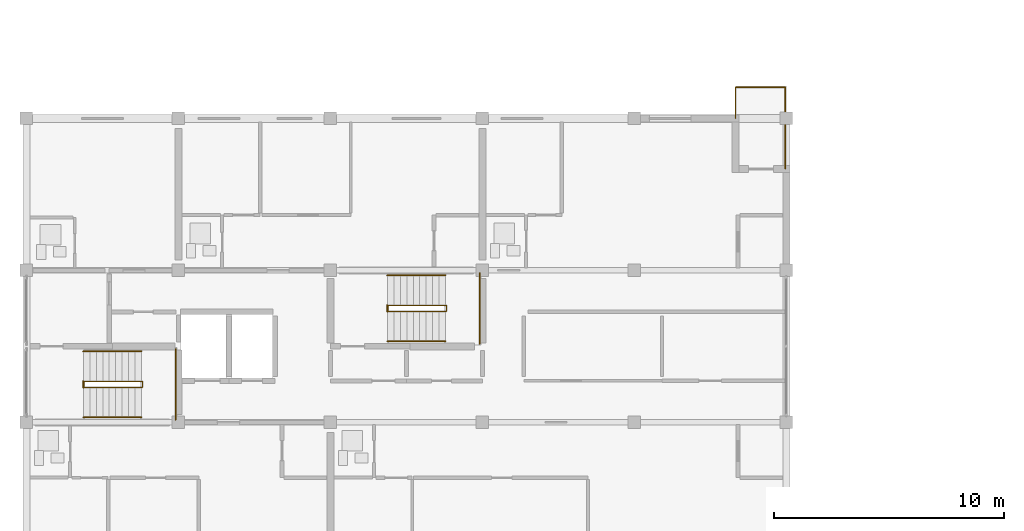
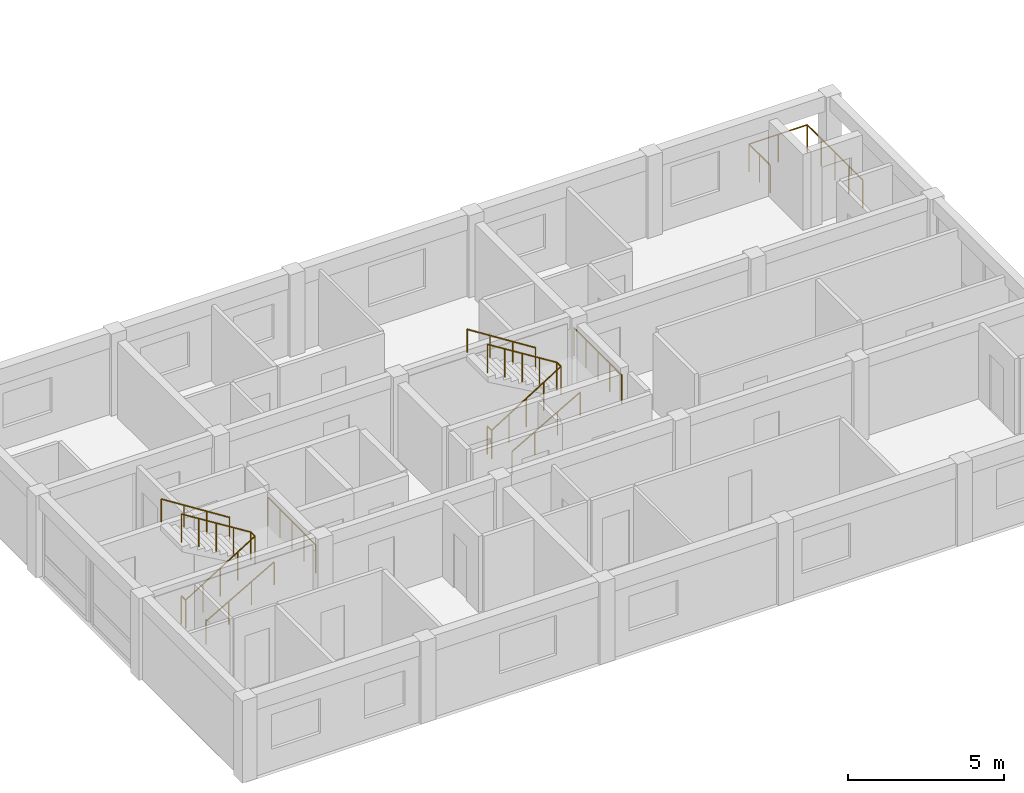
# One storey, part 42 of 45: 11 railings.
"""IFC4 building model written with IfcOpenShell, lengths in metres."""

from ifc_helpers import new_model, si_unit, direction, frame, origin, origin_2d, place, context, subcontext, project, spatial, circle, extrude, material, type_object, element, save


model = new_model("IFC4")

# Units and contexts
model_context = context("Model", 3, precision=1e-05, world=origin(), true_north=direction((0.0, 1.0)))
body_context = subcontext(model_context, "Body", "Model", "MODEL_VIEW")
ifc_project = project(units=[si_unit("LENGTHUNIT", "METRE"), si_unit("AREAUNIT", "SQUARE_METRE"), si_unit("VOLUMEUNIT", "CUBIC_METRE"), si_unit("PLANEANGLEUNIT", "RADIAN"), si_unit("MASSUNIT", "GRAM", prefix="KILO")], contexts=[model_context])

# Site, building, storey
site_placement = place(None, origin())
site = spatial("IfcSite", under=ifc_project, at=site_placement, CompositionType="ELEMENT")
building_placement = place(site_placement, origin())
building = spatial("IfcBuilding", under=site, at=building_placement, Name="Kernevlak Ridge Housing Community", CompositionType="ELEMENT")
storey_placement = place(building_placement, frame((0.0, 0.0, 14.800048828125)))
storey = spatial("IfcBuildingStorey", under=building, at=storey_placement, Name="L04", CompositionType="ELEMENT", Elevation=14.800048828125)

# Railings
ifc_material_1 = material(Name="Steel S355", Category="steel")
railing_type_1 = type_object("IfcRailingType", Name="BL-01", PredefinedType="BALUSTRADE", material=ifc_material_1)
railing_1_placement = place(storey_placement, frame((46.39990234375, 95.800048828125, 0.0)))
element("IfcRailing", 1, at=railing_1_placement, inside=storey, type_object=railing_type_1, Name="Block A L04 balcony balustrade BL-01 4", PredefinedType="BALUSTRADE", context=body_context, shape_type="SweptSolid", body=[
    extrude(circle(Radius=0.02392578125, at=origin_2d()), frame((0.0, 0.0, 1.076171875), z_axis=(0.0, 1.0, 0.0), x_axis=(-1.0, 0.0, 0.0)), (0.0, 0.0, 1.0), 1.349853515625),
    extrude(circle(Radius=0.02392578125, at=origin_2d()), frame((0.0, 1.349853515625, 1.076171875), z_axis=(1.0, 0.0, 0.0), x_axis=(0.0, 1.0, 0.0)), (0.0, 0.0, 1.0), 2.150146484375),
    extrude(circle(Radius=0.02392578125, at=origin_2d()), frame((2.150146484375, 1.349853515625, 1.076171875), z_axis=(0.0, -1.0, 0.0), x_axis=(1.0, 0.0, 0.0)), (0.0, 0.0, 1.0), 3.5498046875),
    extrude(circle(Radius=0.02099609375, at=origin_2d()), origin(), (0.0, 0.0, 1.0), 1.052001953125),
    extrude(circle(Radius=0.02099609375, at=origin_2d()), frame((0.0, 0.6748046875, 0.0)), (0.0, 0.0, 1.0), 1.052001953125),
    extrude(circle(Radius=0.02099609375, at=origin_2d()), frame((0.0, 1.349853515625, 0.0)), (0.0, 0.0, 1.0), 1.052001953125),
    extrude(circle(Radius=0.02099609375, at=origin_2d()), frame((1.0751953125, 1.349853515625, 0.0)), (0.0, 0.0, 1.0), 1.052001953125),
    extrude(circle(Radius=0.02099609375, at=origin_2d()), frame((2.150146484375, 1.349853515625, 0.0)), (0.0, 0.0, 1.0), 1.052001953125),
    extrude(circle(Radius=0.02099609375, at=origin_2d()), frame((2.150146484375, 0.46240234375, 0.0)), (0.0, 0.0, 1.0), 1.052001953125),
    extrude(circle(Radius=0.02099609375, at=origin_2d()), frame((2.150146484375, -0.425048828125, 0.0)), (0.0, 0.0, 1.0), 1.052001953125),
    extrude(circle(Radius=0.02099609375, at=origin_2d()), frame((2.150146484375, -1.3125, 0.0)), (0.0, 0.0, 1.0), 1.052001953125),
    extrude(circle(Radius=0.02099609375, at=origin_2d()), frame((2.150146484375, -2.199951171875, 0.0)), (0.0, 0.0, 1.0), 1.052001953125),
])
railing_type_2 = type_object("IfcRailingType", Name="GR-02", PredefinedType="GUARDRAIL", material=ifc_material_1)
railing_2_placement = place(storey_placement, frame((18.080078125, 84.110107421875, 0.0)))
element("IfcRailing", 2, at=railing_2_placement, inside=storey, type_object=railing_type_2, Name="Stair ST-A1 L04 well slot guard", PredefinedType="GUARDRAIL", context=body_context, shape_type="SweptSolid", body=[
    extrude(circle(Radius=0.02392578125, at=origin_2d()), frame((0.0, 0.0, 1.09619140625), z_axis=(0.0, 1.0, 0.0), x_axis=(-1.0, 0.0, 0.0)), (0.0, 0.0, 1.0), 0.27978515625),
    extrude(circle(Radius=0.02099609375, at=origin_2d()), origin(), (0.0, 0.0, 1.0), 1.072021484375),
    extrude(circle(Radius=0.02099609375, at=origin_2d()), frame((0.0, 0.27978515625, 0.0)), (0.0, 0.0, 1.0), 1.072021484375),
])
railing_3_placement = place(storey_placement, frame((18.080078125, 84.1201171875, 0.0)))
element("IfcRailing", 3, at=railing_3_placement, inside=storey, type_object=railing_type_2, Name="Stair ST-A1 L04 inner well guardrail", PredefinedType="GUARDRAIL", context=body_context, shape_type="SweptSolid", body=[
    extrude(circle(Radius=0.02392578125, at=origin_2d()), frame((0.0, 0.0, 1.09619140625), z_axis=(0.848002847666, 0.0, 0.529991670077), x_axis=(0.0, 1.0, 0.0)), (0.0, 0.0, 1.0), 3.0185546875),
    extrude(circle(Radius=0.02392578125, at=origin_2d()), frame((2.559814453125, 0.0, 2.69580078125), z_axis=(0.0, 1.0, 0.0), x_axis=(-1.0, 0.0, 0.0)), (0.0, 0.0, 1.0), 0.259765625),
    extrude(circle(Radius=0.02392578125, at=origin_2d()), frame((2.559814453125, 0.259765625, 2.69580078125), z_axis=(-0.847966497998, 0.0, 0.530049826217), x_axis=(0.0, -1.0, 0.0)), (0.0, 0.0, 1.0), 3.018798828125),
    extrude(circle(Radius=0.02099609375, at=origin_2d()), origin(), (0.0, 0.0, 1.0), 1.072021484375),
    extrude(circle(Radius=0.02099609375, at=origin_2d()), frame((0.639892578125, 0.0, 0.39990234375)), (0.0, 0.0, 1.0), 1.072021484375),
    extrude(circle(Radius=0.02099609375, at=origin_2d()), frame((1.27978515625, 0.0, 0.7998046875)), (0.0, 0.0, 1.0), 1.072021484375),
    extrude(circle(Radius=0.02099609375, at=origin_2d()), frame((1.919921875, 0.0, 1.199951171875)), (0.0, 0.0, 1.0), 1.072021484375),
    extrude(circle(Radius=0.02099609375, at=origin_2d()), frame((2.559814453125, 0.0, 1.599853515625)), (0.0, 0.0, 1.0), 1.072021484375),
    extrude(circle(Radius=0.02099609375, at=origin_2d()), frame((2.559814453125, 0.259765625, 1.599853515625)), (0.0, 0.0, 1.0), 1.072021484375),
    extrude(circle(Radius=0.02099609375, at=origin_2d()), frame((1.919921875, 0.259765625, 2.0)), (0.0, 0.0, 1.0), 1.072021484375),
    extrude(circle(Radius=0.02099609375, at=origin_2d()), frame((1.27978515625, 0.259765625, 2.39990234375)), (0.0, 0.0, 1.0), 1.072021484375),
    extrude(circle(Radius=0.02099609375, at=origin_2d()), frame((0.639892578125, 0.259765625, 2.7998046875)), (0.0, 0.0, 1.0), 1.072021484375),
    extrude(circle(Radius=0.02099609375, at=origin_2d()), frame((0.0, 0.259765625, 3.199951171875)), (0.0, 0.0, 1.0), 1.072021484375),
])
railing_4_placement = place(storey_placement, frame((22.080078125, 82.719970703125, 1.599853515625)))
element("IfcRailing", 4, at=railing_4_placement, inside=storey, type_object=railing_type_2, Name="Stair ST-A1 L04 half-landing guard", PredefinedType="GUARDRAIL", context=body_context, shape_type="SweptSolid", body=[
    extrude(circle(Radius=0.02392578125, at=origin_2d()), frame((0.0, 0.0, 1.09619140625), z_axis=(0.0, 1.0, 0.0), x_axis=(-1.0, 0.0, 0.0)), (0.0, 0.0, 1.0), 3.06005859375),
    extrude(circle(Radius=0.02099609375, at=origin_2d()), origin(), (0.0, 0.0, 1.0), 1.072021484375),
    extrude(circle(Radius=0.02099609375, at=origin_2d()), frame((0.0, 0.76513671875, 0.0)), (0.0, 0.0, 1.0), 1.072021484375),
    extrude(circle(Radius=0.02099609375, at=origin_2d()), frame((0.0, 1.530029296875, 0.0)), (0.0, 0.0, 1.0), 1.072021484375),
    extrude(circle(Radius=0.02099609375, at=origin_2d()), frame((0.0, 2.294921875, 0.0)), (0.0, 0.0, 1.0), 1.072021484375),
    extrude(circle(Radius=0.02099609375, at=origin_2d()), frame((0.0, 3.06005859375, 0.0)), (0.0, 0.0, 1.0), 1.072021484375),
])
railing_5_placement = place(storey_placement, frame((31.280029296875, 87.409912109375, 0.0)))
element("IfcRailing", 5, at=railing_5_placement, inside=storey, type_object=railing_type_2, Name="Stair ST-A2 L04 well slot guard", PredefinedType="GUARDRAIL", context=body_context, shape_type="SweptSolid", body=[
    extrude(circle(Radius=0.02392578125, at=origin_2d()), frame((0.0, 0.0, 1.09619140625), z_axis=(0.0, 1.0, 0.0), x_axis=(-1.0, 0.0, 0.0)), (0.0, 0.0, 1.0), 0.280029296875),
    extrude(circle(Radius=0.02099609375, at=origin_2d()), origin(), (0.0, 0.0, 1.0), 1.072021484375),
    extrude(circle(Radius=0.02099609375, at=origin_2d()), frame((0.0, 0.280029296875, 0.0)), (0.0, 0.0, 1.0), 1.072021484375),
])
railing_6_placement = place(storey_placement, frame((31.280029296875, 87.419921875, 0.0)))
element("IfcRailing", 6, at=railing_6_placement, inside=storey, type_object=railing_type_2, Name="Stair ST-A2 L04 inner well guardrail", PredefinedType="GUARDRAIL", context=body_context, shape_type="SweptSolid", body=[
    extrude(circle(Radius=0.02392578125, at=origin_2d()), frame((0.0, 0.0, 1.09619140625), z_axis=(0.848025563165, 0.0, 0.529955322851), x_axis=(0.0, 1.0, 0.0)), (0.0, 0.0, 1.0), 3.018798828125),
    extrude(circle(Radius=0.02392578125, at=origin_2d()), frame((2.56005859375, 0.0, 2.69580078125), z_axis=(0.0, 1.0, 0.0), x_axis=(-1.0, 0.0, 0.0)), (0.0, 0.0, 1.0), 0.260009765625),
    extrude(circle(Radius=0.02392578125, at=origin_2d()), frame((2.56005859375, 0.260009765625, 2.69580078125), z_axis=(-0.847989217509, 0.0, 0.530013478119), x_axis=(0.0, -1.0, 0.0)), (0.0, 0.0, 1.0), 3.01904296875),
    extrude(circle(Radius=0.02099609375, at=origin_2d()), origin(), (0.0, 0.0, 1.0), 1.072021484375),
    extrude(circle(Radius=0.02099609375, at=origin_2d()), frame((0.64013671875, 0.0, 0.39990234375)), (0.0, 0.0, 1.0), 1.072021484375),
    extrude(circle(Radius=0.02099609375, at=origin_2d()), frame((1.280029296875, 0.0, 0.7998046875)), (0.0, 0.0, 1.0), 1.072021484375),
    extrude(circle(Radius=0.02099609375, at=origin_2d()), frame((1.919921875, 0.0, 1.199951171875)), (0.0, 0.0, 1.0), 1.072021484375),
    extrude(circle(Radius=0.02099609375, at=origin_2d()), frame((2.56005859375, 0.0, 1.599853515625)), (0.0, 0.0, 1.0), 1.072021484375),
    extrude(circle(Radius=0.02099609375, at=origin_2d()), frame((2.56005859375, 0.260009765625, 1.599853515625)), (0.0, 0.0, 1.0), 1.072021484375),
    extrude(circle(Radius=0.02099609375, at=origin_2d()), frame((1.919921875, 0.260009765625, 2.0)), (0.0, 0.0, 1.0), 1.072021484375),
    extrude(circle(Radius=0.02099609375, at=origin_2d()), frame((1.280029296875, 0.260009765625, 2.39990234375)), (0.0, 0.0, 1.0), 1.072021484375),
    extrude(circle(Radius=0.02099609375, at=origin_2d()), frame((0.64013671875, 0.260009765625, 2.7998046875)), (0.0, 0.0, 1.0), 1.072021484375),
    extrude(circle(Radius=0.02099609375, at=origin_2d()), frame((0.0, 0.260009765625, 3.199951171875)), (0.0, 0.0, 1.0), 1.072021484375),
])
railing_7_placement = place(storey_placement, frame((35.280029296875, 86.02001953125, 1.599853515625)))
element("IfcRailing", 7, at=railing_7_placement, inside=storey, type_object=railing_type_2, Name="Stair ST-A2 L04 half-landing guard", PredefinedType="GUARDRAIL", context=body_context, shape_type="SweptSolid", body=[
    extrude(circle(Radius=0.02392578125, at=origin_2d()), frame((0.0, 0.0, 1.09619140625), z_axis=(0.0, 1.0, 0.0), x_axis=(-1.0, 0.0, 0.0)), (0.0, 0.0, 1.0), 3.06005859375),
    extrude(circle(Radius=0.02099609375, at=origin_2d()), origin(), (0.0, 0.0, 1.0), 1.072021484375),
    extrude(circle(Radius=0.02099609375, at=origin_2d()), frame((0.0, 0.76513671875, 0.0)), (0.0, 0.0, 1.0), 1.072021484375),
    extrude(circle(Radius=0.02099609375, at=origin_2d()), frame((0.0, 1.530029296875, 0.0)), (0.0, 0.0, 1.0), 1.072021484375),
    extrude(circle(Radius=0.02099609375, at=origin_2d()), frame((0.0, 2.294921875, 0.0)), (0.0, 0.0, 1.0), 1.072021484375),
    extrude(circle(Radius=0.02099609375, at=origin_2d()), frame((0.0, 3.06005859375, 0.0)), (0.0, 0.0, 1.0), 1.072021484375),
])
ifc_material_2 = material(Name="Stainless steel EN 1.4401", Category="steel")
railing_type_3 = type_object("IfcRailingType", Name="HR-01", PredefinedType="HANDRAIL", material=ifc_material_2)
railing_8_placement = place(storey_placement, frame((18.080078125, 82.820068359375, 0.159912109375)))
element("IfcRailing", 8, at=railing_8_placement, inside=storey, type_object=railing_type_3, Name="Stair ST-A1 L04 flight 1 handrail", PredefinedType="HANDRAIL", context=body_context, shape_type="SweptSolid", body=[
    extrude(circle(Radius=0.02392578125, at=origin_2d()), frame((0.0, 0.0, 0.89599609375), z_axis=(0.868253494771, 0.0, 0.496120820787), x_axis=(0.0, 1.0, 0.0)), (0.0, 0.0, 1.0), 2.90234375),
    extrude(circle(Radius=0.02099609375, at=origin_2d()), origin(), (0.0, 0.0, 1.0), 0.871826171875),
    extrude(circle(Radius=0.02099609375, at=origin_2d()), frame((0.840087890625, 0.0, 0.47998046875)), (0.0, 0.0, 1.0), 0.871826171875),
    extrude(circle(Radius=0.02099609375, at=origin_2d()), frame((1.679931640625, 0.0, 0.9599609375)), (0.0, 0.0, 1.0), 0.871826171875),
    extrude(circle(Radius=0.02099609375, at=origin_2d()), frame((2.52001953125, 0.0, 1.43994140625)), (0.0, 0.0, 1.0), 0.871826171875),
])
railing_9_placement = place(storey_placement, frame((20.60009765625, 85.679931640625, 1.599853515625)))
element("IfcRailing", 9, at=railing_9_placement, inside=storey, type_object=railing_type_3, Name="Stair ST-A1 L04 flight 2 handrail", PredefinedType="HANDRAIL", context=body_context, shape_type="SweptSolid", body=[
    extrude(circle(Radius=0.02392578125, at=origin_2d()), frame((0.0, 0.0, 0.89599609375), z_axis=(-0.844199891302, 0.0, 0.536028491338), x_axis=(0.0, -1.0, 0.0)), (0.0, 0.0, 1.0), 2.985107421875),
    extrude(circle(Radius=0.02099609375, at=origin_2d()), origin(), (0.0, 0.0, 1.0), 0.871826171875),
    extrude(circle(Radius=0.02099609375, at=origin_2d()), frame((-0.840087890625, 0.0, 0.533447265625)), (0.0, 0.0, 1.0), 0.871826171875),
    extrude(circle(Radius=0.02099609375, at=origin_2d()), frame((-1.679931640625, 0.0, 1.066650390625)), (0.0, 0.0, 1.0), 0.871826171875),
    extrude(circle(Radius=0.02099609375, at=origin_2d()), frame((-2.52001953125, 0.0, 1.60009765625)), (0.0, 0.0, 1.0), 0.871826171875),
])
railing_10_placement = place(storey_placement, frame((31.280029296875, 86.1201171875, 0.159912109375)))
element("IfcRailing", 10, at=railing_10_placement, inside=storey, type_object=railing_type_3, Name="Stair ST-A2 L04 flight 1 handrail", PredefinedType="HANDRAIL", context=body_context, shape_type="SweptSolid", body=[
    extrude(circle(Radius=0.02392578125, at=origin_2d()), frame((0.0, 0.0, 0.89599609375), z_axis=(0.868253494771, 0.0, 0.496120820787), x_axis=(0.0, 1.0, 0.0)), (0.0, 0.0, 1.0), 2.90234375),
    extrude(circle(Radius=0.02099609375, at=origin_2d()), origin(), (0.0, 0.0, 1.0), 0.871826171875),
    extrude(circle(Radius=0.02099609375, at=origin_2d()), frame((0.840087890625, 0.0, 0.47998046875)), (0.0, 0.0, 1.0), 0.871826171875),
    extrude(circle(Radius=0.02099609375, at=origin_2d()), frame((1.679931640625, 0.0, 0.9599609375)), (0.0, 0.0, 1.0), 0.871826171875),
    extrude(circle(Radius=0.02099609375, at=origin_2d()), frame((2.52001953125, 0.0, 1.43994140625)), (0.0, 0.0, 1.0), 0.871826171875),
])
railing_11_placement = place(storey_placement, frame((33.800048828125, 88.97998046875, 1.599853515625)))
element("IfcRailing", 11, at=railing_11_placement, inside=storey, type_object=railing_type_3, Name="Stair ST-A2 L04 flight 2 handrail", PredefinedType="HANDRAIL", context=body_context, shape_type="SweptSolid", body=[
    extrude(circle(Radius=0.02392578125, at=origin_2d()), frame((0.0, 0.0, 0.89599609375), z_axis=(-0.844199891302, 0.0, 0.536028491338), x_axis=(0.0, -1.0, 0.0)), (0.0, 0.0, 1.0), 2.985107421875),
    extrude(circle(Radius=0.02099609375, at=origin_2d()), origin(), (0.0, 0.0, 1.0), 0.871826171875),
    extrude(circle(Radius=0.02099609375, at=origin_2d()), frame((-0.840087890625, 0.0, 0.533447265625)), (0.0, 0.0, 1.0), 0.871826171875),
    extrude(circle(Radius=0.02099609375, at=origin_2d()), frame((-1.679931640625, 0.0, 1.066650390625)), (0.0, 0.0, 1.0), 0.871826171875),
    extrude(circle(Radius=0.02099609375, at=origin_2d()), frame((-2.52001953125, 0.0, 1.60009765625)), (0.0, 0.0, 1.0), 0.871826171875),
])

save(model, "model.ifc")
